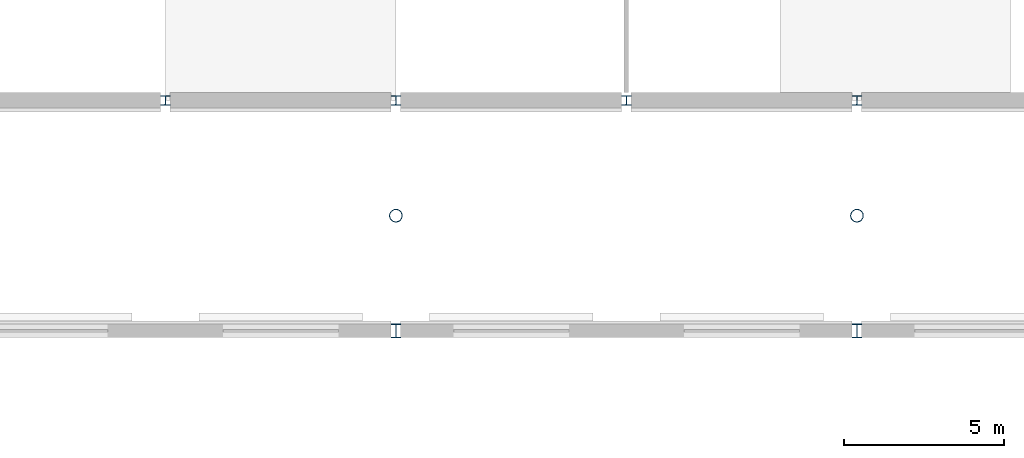
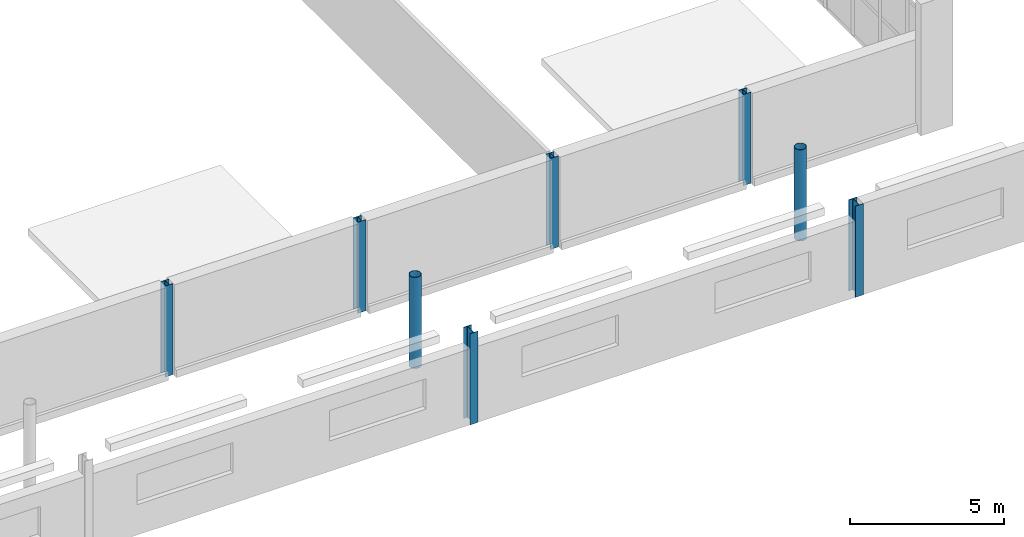
# One storey, part 19 of 124: 8 columns.
"""IFC4 building model written with IfcOpenShell, lengths in metres."""

from ifc_helpers import new_model, si_unit, direction, frame, origin, origin_2d, place, context, subcontext, project, spatial, hollow_circle, i_section, extrude, material, material_profile, profile_set, type_object, element, save


model = new_model("IFC4")

# Units and contexts
model_context = context("Model", 3, precision=1e-05, world=origin(), true_north=direction((0.0, 1.0)))
body_context = subcontext(model_context, "Body", "Model", "MODEL_VIEW")
ifc_project = project(units=[si_unit("LENGTHUNIT", "METRE"), si_unit("AREAUNIT", "SQUARE_METRE"), si_unit("VOLUMEUNIT", "CUBIC_METRE"), si_unit("PLANEANGLEUNIT", "RADIAN"), si_unit("MASSUNIT", "GRAM", prefix="KILO")], contexts=[model_context])

# Site, building, storey
site_placement = place(None, origin())
site = spatial("IfcSite", under=ifc_project, at=site_placement, CompositionType="ELEMENT")
building_placement = place(site_placement, origin())
building = spatial("IfcBuilding", under=site, at=building_placement, Name="Kupolbacken Congress Centre", CompositionType="ELEMENT")
storey_placement = place(building_placement, frame((0.0, 0.0, 10.800048828125)))
storey = spatial("IfcBuildingStorey", under=building, at=storey_placement, Name="L03", CompositionType="ELEMENT", Elevation=10.800048828125)

# Columns
ifc_material_1 = material(Name="Steel S355", Category="steel")
ifc_material_profile_1 = material_profile(ifc_material_1, i_section(OverallWidth=0.300048828125, OverallDepth=0.300048828125, WebThickness=0.010986328125, FlangeThickness=0.01904296875, FilletRadius=0.027099609375, at=origin_2d()), Name="HEB 300")
ifc_profile_set_1 = profile_set([ifc_material_profile_1], Name="Steel S355")
column_type_1 = type_object("IfcColumnType", Name="C06 column HEB 300", PredefinedType="COLUMN", material=ifc_profile_set_1)
for number, where, z_axis, x_axis, name in (
    (1, (172.800048828125, 122.39990234375, 0.0), (0.0, 0.0, 1.0), (1.0, 0.0, 0.0), "S/col/C-B-B4S/L03"),
    (2, (180.0, 122.39990234375, 0.0), (0.0, 0.0, 1.0), (1.0, 0.0, 0.0), "S/col/C-B-B5S/L03"),
    (3, (187.199951171875, 122.39990234375, 0.0), (0.0, 0.0, 1.0), (1.0, 0.0, 0.0), "S/col/C-B-B6S/L03"),
    (4, (194.39990234375, 122.39990234375, 0.0), (0.0, 0.0, 1.0), (1.0, 0.0, 0.0), "S/col/C-B-B7S/L03"),
):
    element("IfcColumn", number, at=place(storey_placement, frame(where, z_axis=z_axis, x_axis=x_axis)), inside=storey, type_object=column_type_1, Name=name, PredefinedType="COLUMN", context=body_context, shape_type="SweptSolid", body=[
        extrude(i_section(OverallWidth=0.300048828125, OverallDepth=0.300048828125, WebThickness=0.010986328125, FlangeThickness=0.01904296875, FilletRadius=0.027099609375, at=origin_2d()), origin(), (0.0, 0.0, 1.0), 3.599853515625),
    ])
ifc_material_2 = material(Name="Steel S355", Category="steel")
ifc_material_profile_2 = material_profile(ifc_material_2, i_section(OverallWidth=0.300048828125, OverallDepth=0.43994140625, WebThickness=0.011474609375, FlangeThickness=0.02099609375, FilletRadius=0.027099609375, at=origin_2d()), Name="HEA 450")
ifc_profile_set_2 = profile_set([ifc_material_profile_2], Name="Steel S355")
column_type_2 = type_object("IfcColumnType", Name="C07 column HEA 450", PredefinedType="COLUMN", material=ifc_profile_set_2)
for number, where, z_axis, x_axis, name in (
    (5, (180.0, 115.199951171875, 0.0), (0.0, 0.0, 1.0), (1.0, 0.0, 0.0), "S/col/C-H-T7N/L03"),
    (6, (194.39990234375, 115.199951171875, 0.0), (0.0, 0.0, 1.0), (1.0, 0.0, 0.0), "S/col/C-H-T8N/L03"),
):
    element("IfcColumn", number, at=place(storey_placement, frame(where, z_axis=z_axis, x_axis=x_axis)), inside=storey, type_object=column_type_2, Name=name, PredefinedType="COLUMN", context=body_context, shape_type="SweptSolid", body=[
        extrude(i_section(OverallWidth=0.300048828125, OverallDepth=0.43994140625, WebThickness=0.011474609375, FlangeThickness=0.02099609375, FilletRadius=0.027099609375, at=origin_2d()), origin(), (0.0, 0.0, 1.0), 3.599853515625),
    ])
ifc_material_3 = material(Name="Steel S355", Category="steel")
ifc_material_profile_3 = material_profile(ifc_material_3, hollow_circle(Radius=0.203125, WallThickness=0.01611328125, at=origin_2d()), Name="CHS 406.4 x 16")
ifc_profile_set_3 = profile_set([ifc_material_profile_3], Name="Steel S355")
column_type_3 = type_object("IfcColumnType", Name="C15 roof mast CHS 406.4 x 16", PredefinedType="COLUMN", material=ifc_profile_set_3)
for number, where, z_axis, x_axis, name in (
    (7, (180.0, 118.800048828125, 0.0), (0.0, 0.0, 1.0), (1.0, 0.0, 0.0), "Roof mast M7N"),
    (8, (194.39990234375, 118.800048828125, 0.0), (0.0, 0.0, 1.0), (1.0, 0.0, 0.0), "Roof mast M8N"),
):
    element("IfcColumn", number, at=place(storey_placement, frame(where, z_axis=z_axis, x_axis=x_axis)), inside=storey, type_object=column_type_3, Name=name, PredefinedType="COLUMN", context=body_context, shape_type="SweptSolid", body=[
        extrude(hollow_circle(Radius=0.203125, WallThickness=0.01611328125, at=origin_2d()), origin(), (0.0, 0.0, 1.0), 3.599853515625),
    ])

save(model, "model.ifc")
